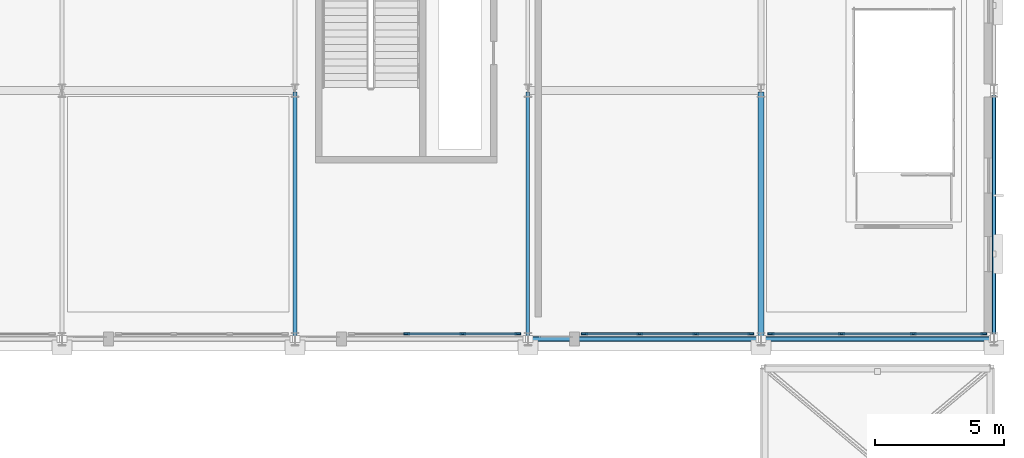
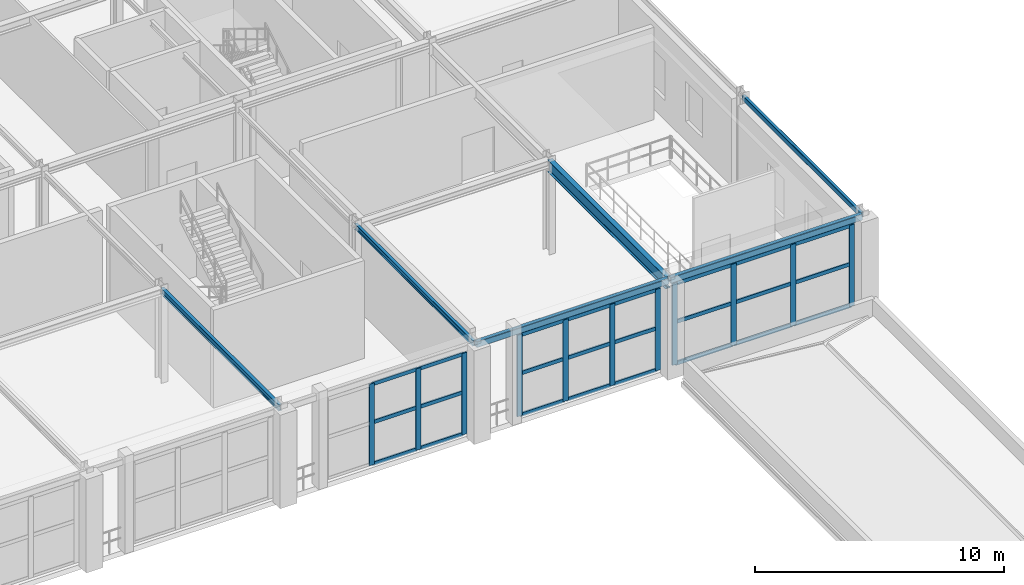
# One storey, part 57 of 125: 35 members, 6 beams, 3 elements without a shape of their own.
"""IFC4 building model written with IfcOpenShell, lengths in metres."""

from ifc_helpers import new_model, si_unit, direction, frame, origin, origin_2d, place, context, subcontext, project, spatial, rectangle, hollow_rectangle, i_section, extrude, material, layer, layer_set, material_profile, profile_set, type_object, element, aggregate, save


model = new_model("IFC4")

# Units and contexts
model_context = context("Model", 3, precision=1e-05, world=origin(), true_north=direction((0.0, 1.0)))
body_context = subcontext(model_context, "Body", "Model", "MODEL_VIEW")
ifc_project = project(units=[si_unit("LENGTHUNIT", "METRE"), si_unit("AREAUNIT", "SQUARE_METRE"), si_unit("VOLUMEUNIT", "CUBIC_METRE"), si_unit("PLANEANGLEUNIT", "RADIAN"), si_unit("MASSUNIT", "GRAM", prefix="KILO")], contexts=[model_context])

# Site, building, storey
site_placement = place(None, origin())
site = spatial("IfcSite", under=ifc_project, at=site_placement, CompositionType="ELEMENT")
building_placement = place(site_placement, origin())
building = spatial("IfcBuilding", under=site, at=building_placement, Name="Myrtia Square Station", CompositionType="ELEMENT")
storey_placement = place(building_placement, frame((0.0, 0.0, 6.0)))
storey = spatial("IfcBuildingStorey", under=building, at=storey_placement, Name="L01", CompositionType="ELEMENT", Elevation=6.0)

# Beams
ifc_material_1 = material(Name="Steel S355", Category="steel")
ifc_material_profile_1 = material_profile(ifc_material_1, i_section(OverallWidth=0.135009765625, OverallDepth=0.27001953125, WebThickness=0.006591796875, FlangeThickness=0.01025390625, FilletRadius=0.014892578125, at=origin_2d()), Name="IPE 270")
ifc_profile_set_1 = profile_set([ifc_material_profile_1], Name="Steel S355")
beam_type_1 = type_object("IfcBeamType", Name="BM-IPE270", PredefinedType="BEAM", material=ifc_profile_set_1)
beam_1_placement = place(storey_placement, frame((171.0, 86.449951171875, 4.4150390625), z_axis=(0.0, 1.0, 0.0), x_axis=(-1.0, 0.0, 0.0)))
element("IfcBeam", 1, at=beam_1_placement, inside=storey, type_object=beam_type_1, Name="Structural girder BMY-L01-0683", PredefinedType="BEAM", context=body_context, shape_type="SweptSolid", body=[
    extrude(i_section(OverallWidth=0.135009765625, OverallDepth=0.27001953125, WebThickness=0.006591796875, FlangeThickness=0.01025390625, FilletRadius=0.014892578125, at=origin_2d()), origin(), (0.0, 0.0, 1.0), 9.5),
])
ifc_material_profile_2 = material_profile(ifc_material_1, i_section(OverallWidth=0.14990234375, OverallDepth=0.300048828125, WebThickness=0.007080078125, FlangeThickness=0.0107421875, FilletRadius=0.014892578125, at=origin_2d()), Name="IPE 300")
ifc_profile_set_2 = profile_set([ifc_material_profile_2], Name="Steel S355")
beam_type_2 = type_object("IfcBeamType", Name="BM-IPE300", PredefinedType="BEAM", material=ifc_profile_set_2)
beam_2_placement = place(storey_placement, frame((162.0, 86.449951171875, 4.39990234375), z_axis=(0.0, 1.0, 0.0), x_axis=(-1.0, 0.0, 0.0)))
element("IfcBeam", 2, at=beam_2_placement, inside=storey, type_object=beam_type_2, Name="Structural girder BMY-L01-0679", PredefinedType="BEAM", context=body_context, shape_type="SweptSolid", body=[
    extrude(i_section(OverallWidth=0.14990234375, OverallDepth=0.300048828125, WebThickness=0.007080078125, FlangeThickness=0.0107421875, FilletRadius=0.014892578125, at=origin_2d()), origin(), (0.0, 0.0, 1.0), 9.5),
])
ifc_material_profile_3 = material_profile(ifc_material_1, i_section(OverallWidth=0.219970703125, OverallDepth=0.60009765625, WebThickness=0.011962890625, FlangeThickness=0.01904296875, FilletRadius=0.02392578125, at=origin_2d()), Name="IPE 600")
ifc_profile_set_3 = profile_set([ifc_material_profile_3], Name="Steel S355")
beam_type_3 = type_object("IfcBeamType", Name="BM-IPE600", PredefinedType="BEAM", material=ifc_profile_set_3)
beam_3_placement = place(storey_placement, frame((180.0, 86.449951171875, 4.25), z_axis=(0.0, 1.0, 0.0), x_axis=(-1.0, 0.0, 0.0)))
element("IfcBeam", 3, at=beam_3_placement, inside=storey, type_object=beam_type_3, Name="Structural girder BMY-L01-0687", PredefinedType="BEAM", context=body_context, shape_type="SweptSolid", body=[
    extrude(i_section(OverallWidth=0.219970703125, OverallDepth=0.60009765625, WebThickness=0.011962890625, FlangeThickness=0.01904296875, FilletRadius=0.02392578125, at=origin_2d()), origin(), (0.0, 0.0, 1.0), 9.5),
])

# Curtain wall, members
ifc_material_2 = material(Name="Dark bronze anodised aluminium", Category="aluminium")
ifc_layer_1 = layer(ifc_material_2, 0.159912109375, Name="Dark bronze anodised aluminium")
ifc_layer_set_1 = layer_set([ifc_layer_1], Name="Dark bronze anodised aluminium")
curtain_wall_type_1 = type_object("IfcCurtainWallType", Name="CW-TYPE-39-650x400", PredefinedType="USERDEFINED", material=ifc_layer_set_1)
curtain_wall_1_placement = place(storey_placement, origin())
curtain_wall_1 = element("IfcCurtainWall", 4, at=curtain_wall_1_placement, inside=storey, type_object=curtain_wall_type_1, Name="Concourse curtain wall CW-L01-136", ObjectType="CONCOURSE CURTAIN WALL", PredefinedType="USERDEFINED")
ifc_material_profile_4 = material_profile(ifc_material_2, rectangle(XDim=0.074951171875, YDim=0.239990234375, at=origin_2d()), Name="ALU-M 75x240")
ifc_profile_set_4 = profile_set([ifc_material_profile_4], Name="Dark bronze anodised aluminium")
member_type_1 = type_object("IfcMemberType", Name="CWM-75x240", PredefinedType="MULLION", material=ifc_profile_set_4)
member_1_placement = place(storey_placement, frame((166.316650390625, 86.60009765625, 0.0), z_axis=(0.0, 0.0, 1.0), x_axis=(0.0, 1.0, 0.0)))
member_1 = element("IfcMember", 5, at=member_1_placement, type_object=member_type_1, Name="CW-136 mullion 2", PredefinedType="MULLION", context=body_context, shape_type="SweptSolid", body=[
    extrude(rectangle(XDim=0.074951171875, YDim=0.239990234375, at=origin_2d()), origin(), (0.0, 0.0, 1.0), 4.0),
])
member_2_placement = place(storey_placement, frame((168.4833984375, 86.60009765625, 0.0), z_axis=(0.0, 0.0, 1.0), x_axis=(0.0, 1.0, 0.0)))
member_2 = element("IfcMember", 6, at=member_2_placement, type_object=member_type_1, Name="CW-136 mullion 3", PredefinedType="MULLION", context=body_context, shape_type="SweptSolid", body=[
    extrude(rectangle(XDim=0.074951171875, YDim=0.239990234375, at=origin_2d()), origin(), (0.0, 0.0, 1.0), 4.0),
])
member_3_placement = place(storey_placement, frame((170.612548828125, 86.60009765625, 0.0), z_axis=(0.0, 0.0, 1.0), x_axis=(0.0, 1.0, 0.0)))
member_3 = element("IfcMember", 7, at=member_3_placement, type_object=member_type_1, Name="CW-136 mullion 4", PredefinedType="MULLION", context=body_context, shape_type="SweptSolid", body=[
    extrude(rectangle(XDim=0.074951171875, YDim=0.239990234375, at=origin_2d()), origin(), (0.0, 0.0, 1.0), 4.0),
])

curtain_wall_2_placement = place(storey_placement, origin())
curtain_wall_2 = element("IfcCurtainWall", 8, at=curtain_wall_2_placement, inside=storey, type_object=curtain_wall_type_1, Name="Concourse curtain wall CW-L01-141", ObjectType="CONCOURSE CURTAIN WALL", PredefinedType="USERDEFINED")
member_4_placement = place(storey_placement, frame((173.1875, 86.60009765625, 0.0), z_axis=(0.0, 0.0, 1.0), x_axis=(0.0, 1.0, 0.0)))
member_4 = element("IfcMember", 9, at=member_4_placement, type_object=member_type_1, Name="CW-141 mullion 1", PredefinedType="MULLION", context=body_context, shape_type="SweptSolid", body=[
    extrude(rectangle(XDim=0.074951171875, YDim=0.239990234375, at=origin_2d()), origin(), (0.0, 0.0, 1.0), 4.0),
])
member_5_placement = place(storey_placement, frame((175.316650390625, 86.60009765625, 0.0), z_axis=(0.0, 0.0, 1.0), x_axis=(0.0, 1.0, 0.0)))
member_5 = element("IfcMember", 10, at=member_5_placement, type_object=member_type_1, Name="CW-141 mullion 2", PredefinedType="MULLION", context=body_context, shape_type="SweptSolid", body=[
    extrude(rectangle(XDim=0.074951171875, YDim=0.239990234375, at=origin_2d()), origin(), (0.0, 0.0, 1.0), 4.0),
])
member_6_placement = place(storey_placement, frame((177.4833984375, 86.60009765625, 0.0), z_axis=(0.0, 0.0, 1.0), x_axis=(0.0, 1.0, 0.0)))
member_6 = element("IfcMember", 11, at=member_6_placement, type_object=member_type_1, Name="CW-141 mullion 3", PredefinedType="MULLION", context=body_context, shape_type="SweptSolid", body=[
    extrude(rectangle(XDim=0.074951171875, YDim=0.239990234375, at=origin_2d()), origin(), (0.0, 0.0, 1.0), 4.0),
])
member_7_placement = place(storey_placement, frame((179.612548828125, 86.60009765625, 0.0), z_axis=(0.0, 0.0, 1.0), x_axis=(0.0, 1.0, 0.0)))
member_7 = element("IfcMember", 12, at=member_7_placement, type_object=member_type_1, Name="CW-141 mullion 4", PredefinedType="MULLION", context=body_context, shape_type="SweptSolid", body=[
    extrude(rectangle(XDim=0.074951171875, YDim=0.239990234375, at=origin_2d()), origin(), (0.0, 0.0, 1.0), 4.0),
])

ifc_layer_2 = layer(ifc_material_2, 0.159912109375, Name="Dark bronze anodised aluminium")
ifc_layer_set_2 = layer_set([ifc_layer_2], Name="Dark bronze anodised aluminium")
curtain_wall_type_2 = type_object("IfcCurtainWallType", Name="CW-TYPE-44-830x400", PredefinedType="USERDEFINED", material=ifc_layer_set_2)
curtain_wall_3_placement = place(storey_placement, origin())
curtain_wall_3 = element("IfcCurtainWall", 13, at=curtain_wall_3_placement, inside=storey, type_object=curtain_wall_type_2, Name="Concourse curtain wall CW-L01-146", ObjectType="CONCOURSE CURTAIN WALL", PredefinedType="USERDEFINED")
member_8_placement = place(storey_placement, frame((180.387451171875, 86.60009765625, 0.0), z_axis=(0.0, 0.0, 1.0), x_axis=(0.0, 1.0, 0.0)))
member_8 = element("IfcMember", 14, at=member_8_placement, type_object=member_type_1, Name="CW-146 mullion 1", PredefinedType="MULLION", context=body_context, shape_type="SweptSolid", body=[
    extrude(rectangle(XDim=0.074951171875, YDim=0.239990234375, at=origin_2d()), origin(), (0.0, 0.0, 1.0), 4.0),
])
member_9_placement = place(storey_placement, frame((183.11669921875, 86.60009765625, 0.0), z_axis=(0.0, 0.0, 1.0), x_axis=(0.0, 1.0, 0.0)))
member_9 = element("IfcMember", 15, at=member_9_placement, type_object=member_type_1, Name="CW-146 mullion 2", PredefinedType="MULLION", context=body_context, shape_type="SweptSolid", body=[
    extrude(rectangle(XDim=0.074951171875, YDim=0.239990234375, at=origin_2d()), origin(), (0.0, 0.0, 1.0), 4.0),
])
member_10_placement = place(storey_placement, frame((185.88330078125, 86.60009765625, 0.0), z_axis=(0.0, 0.0, 1.0), x_axis=(0.0, 1.0, 0.0)))
member_10 = element("IfcMember", 16, at=member_10_placement, type_object=member_type_1, Name="CW-146 mullion 3", PredefinedType="MULLION", context=body_context, shape_type="SweptSolid", body=[
    extrude(rectangle(XDim=0.074951171875, YDim=0.239990234375, at=origin_2d()), origin(), (0.0, 0.0, 1.0), 4.0),
])
member_11_placement = place(storey_placement, frame((188.612548828125, 86.60009765625, 0.0), z_axis=(0.0, 0.0, 1.0), x_axis=(0.0, 1.0, 0.0)))
member_11 = element("IfcMember", 17, at=member_11_placement, type_object=member_type_1, Name="CW-146 mullion 4", PredefinedType="MULLION", context=body_context, shape_type="SweptSolid", body=[
    extrude(rectangle(XDim=0.074951171875, YDim=0.239990234375, at=origin_2d()), origin(), (0.0, 0.0, 1.0), 4.0),
])

# Member
ifc_material_profile_5 = material_profile(ifc_material_2, rectangle(XDim=0.074951171875, YDim=0.179931640625, at=origin_2d()), Name="ALU-T 75x180")
ifc_profile_set_5 = profile_set([ifc_material_profile_5], Name="Dark bronze anodised aluminium")
member_type_2 = type_object("IfcMemberType", Name="CWT-75x180", PredefinedType="USERDEFINED", material=ifc_profile_set_5)
member_12_placement = place(storey_placement, frame((166.354248046875, 86.60009765625, 0.03759765625), z_axis=(1.0, 0.0, 0.0), x_axis=(0.0, 1.0, 0.0)))
member_12 = element("IfcMember", 18, at=member_12_placement, type_object=member_type_2, Name="CW-136 transom 2.1", ObjectType="TRANSOM", PredefinedType="USERDEFINED", context=body_context, shape_type="SweptSolid", body=[
    extrude(rectangle(XDim=0.074951171875, YDim=0.179931640625, at=origin_2d()), origin(), (0.0, 0.0, 1.0), 2.091552734375),
])

member_13_placement = place(storey_placement, frame((166.354248046875, 86.60009765625, 2.080078125), z_axis=(1.0, 0.0, 0.0), x_axis=(0.0, 1.0, 0.0)))
member_13 = element("IfcMember", 19, at=member_13_placement, type_object=member_type_2, Name="CW-136 transom 2.2", ObjectType="TRANSOM", PredefinedType="USERDEFINED", context=body_context, shape_type="SweptSolid", body=[
    extrude(rectangle(XDim=0.074951171875, YDim=0.179931640625, at=origin_2d()), origin(), (0.0, 0.0, 1.0), 2.091552734375),
])

member_14_placement = place(storey_placement, frame((166.354248046875, 86.60009765625, 3.96240234375), z_axis=(1.0, 0.0, 0.0), x_axis=(0.0, 1.0, 0.0)))
member_14 = element("IfcMember", 20, at=member_14_placement, type_object=member_type_2, Name="CW-136 transom 2.3", ObjectType="TRANSOM", PredefinedType="USERDEFINED", context=body_context, shape_type="SweptSolid", body=[
    extrude(rectangle(XDim=0.074951171875, YDim=0.179931640625, at=origin_2d()), origin(), (0.0, 0.0, 1.0), 2.091552734375),
])

member_15_placement = place(storey_placement, frame((168.520751953125, 86.60009765625, 0.03759765625), z_axis=(1.0, 0.0, 0.0), x_axis=(0.0, 1.0, 0.0)))
member_15 = element("IfcMember", 21, at=member_15_placement, type_object=member_type_2, Name="CW-136 transom 3.1", ObjectType="TRANSOM", PredefinedType="USERDEFINED", context=body_context, shape_type="SweptSolid", body=[
    extrude(rectangle(XDim=0.074951171875, YDim=0.179931640625, at=origin_2d()), origin(), (0.0, 0.0, 1.0), 2.05419921875),
])

member_16_placement = place(storey_placement, frame((168.520751953125, 86.60009765625, 2.080078125), z_axis=(1.0, 0.0, 0.0), x_axis=(0.0, 1.0, 0.0)))
member_16 = element("IfcMember", 22, at=member_16_placement, type_object=member_type_2, Name="CW-136 transom 3.2", ObjectType="TRANSOM", PredefinedType="USERDEFINED", context=body_context, shape_type="SweptSolid", body=[
    extrude(rectangle(XDim=0.074951171875, YDim=0.179931640625, at=origin_2d()), origin(), (0.0, 0.0, 1.0), 2.05419921875),
])

member_17_placement = place(storey_placement, frame((168.520751953125, 86.60009765625, 3.96240234375), z_axis=(1.0, 0.0, 0.0), x_axis=(0.0, 1.0, 0.0)))
member_17 = element("IfcMember", 23, at=member_17_placement, type_object=member_type_2, Name="CW-136 transom 3.3", ObjectType="TRANSOM", PredefinedType="USERDEFINED", context=body_context, shape_type="SweptSolid", body=[
    extrude(rectangle(XDim=0.074951171875, YDim=0.179931640625, at=origin_2d()), origin(), (0.0, 0.0, 1.0), 2.05419921875),
])

aggregate(curtain_wall_1, [member_1, member_2, member_3, member_12, member_13, member_14, member_15, member_16, member_17])

member_18_placement = place(storey_placement, frame((173.22509765625, 86.60009765625, 0.03759765625), z_axis=(1.0, 0.0, 0.0), x_axis=(0.0, 1.0, 0.0)))
member_18 = element("IfcMember", 24, at=member_18_placement, type_object=member_type_2, Name="CW-141 transom 1.1", ObjectType="TRANSOM", PredefinedType="USERDEFINED", context=body_context, shape_type="SweptSolid", body=[
    extrude(rectangle(XDim=0.074951171875, YDim=0.179931640625, at=origin_2d()), origin(), (0.0, 0.0, 1.0), 2.053955078125),
])

member_19_placement = place(storey_placement, frame((173.22509765625, 86.60009765625, 2.080078125), z_axis=(1.0, 0.0, 0.0), x_axis=(0.0, 1.0, 0.0)))
member_19 = element("IfcMember", 25, at=member_19_placement, type_object=member_type_2, Name="CW-141 transom 1.2", ObjectType="TRANSOM", PredefinedType="USERDEFINED", context=body_context, shape_type="SweptSolid", body=[
    extrude(rectangle(XDim=0.074951171875, YDim=0.179931640625, at=origin_2d()), origin(), (0.0, 0.0, 1.0), 2.053955078125),
])

member_20_placement = place(storey_placement, frame((173.22509765625, 86.60009765625, 3.96240234375), z_axis=(1.0, 0.0, 0.0), x_axis=(0.0, 1.0, 0.0)))
member_20 = element("IfcMember", 26, at=member_20_placement, type_object=member_type_2, Name="CW-141 transom 1.3", ObjectType="TRANSOM", PredefinedType="USERDEFINED", context=body_context, shape_type="SweptSolid", body=[
    extrude(rectangle(XDim=0.074951171875, YDim=0.179931640625, at=origin_2d()), origin(), (0.0, 0.0, 1.0), 2.053955078125),
])

member_21_placement = place(storey_placement, frame((175.354248046875, 86.60009765625, 0.03759765625), z_axis=(1.0, 0.0, 0.0), x_axis=(0.0, 1.0, 0.0)))
member_21 = element("IfcMember", 27, at=member_21_placement, type_object=member_type_2, Name="CW-141 transom 2.1", ObjectType="TRANSOM", PredefinedType="USERDEFINED", context=body_context, shape_type="SweptSolid", body=[
    extrude(rectangle(XDim=0.074951171875, YDim=0.179931640625, at=origin_2d()), origin(), (0.0, 0.0, 1.0), 2.091552734375),
])

member_22_placement = place(storey_placement, frame((175.354248046875, 86.60009765625, 2.080078125), z_axis=(1.0, 0.0, 0.0), x_axis=(0.0, 1.0, 0.0)))
member_22 = element("IfcMember", 28, at=member_22_placement, type_object=member_type_2, Name="CW-141 transom 2.2", ObjectType="TRANSOM", PredefinedType="USERDEFINED", context=body_context, shape_type="SweptSolid", body=[
    extrude(rectangle(XDim=0.074951171875, YDim=0.179931640625, at=origin_2d()), origin(), (0.0, 0.0, 1.0), 2.091552734375),
])

member_23_placement = place(storey_placement, frame((175.354248046875, 86.60009765625, 3.96240234375), z_axis=(1.0, 0.0, 0.0), x_axis=(0.0, 1.0, 0.0)))
member_23 = element("IfcMember", 29, at=member_23_placement, type_object=member_type_2, Name="CW-141 transom 2.3", ObjectType="TRANSOM", PredefinedType="USERDEFINED", context=body_context, shape_type="SweptSolid", body=[
    extrude(rectangle(XDim=0.074951171875, YDim=0.179931640625, at=origin_2d()), origin(), (0.0, 0.0, 1.0), 2.091552734375),
])

member_24_placement = place(storey_placement, frame((177.520751953125, 86.60009765625, 0.03759765625), z_axis=(1.0, 0.0, 0.0), x_axis=(0.0, 1.0, 0.0)))
member_24 = element("IfcMember", 30, at=member_24_placement, type_object=member_type_2, Name="CW-141 transom 3.1", ObjectType="TRANSOM", PredefinedType="USERDEFINED", context=body_context, shape_type="SweptSolid", body=[
    extrude(rectangle(XDim=0.074951171875, YDim=0.179931640625, at=origin_2d()), origin(), (0.0, 0.0, 1.0), 2.05419921875),
])

member_25_placement = place(storey_placement, frame((177.520751953125, 86.60009765625, 2.080078125), z_axis=(1.0, 0.0, 0.0), x_axis=(0.0, 1.0, 0.0)))
member_25 = element("IfcMember", 31, at=member_25_placement, type_object=member_type_2, Name="CW-141 transom 3.2", ObjectType="TRANSOM", PredefinedType="USERDEFINED", context=body_context, shape_type="SweptSolid", body=[
    extrude(rectangle(XDim=0.074951171875, YDim=0.179931640625, at=origin_2d()), origin(), (0.0, 0.0, 1.0), 2.05419921875),
])

member_26_placement = place(storey_placement, frame((177.520751953125, 86.60009765625, 3.96240234375), z_axis=(1.0, 0.0, 0.0), x_axis=(0.0, 1.0, 0.0)))
member_26 = element("IfcMember", 32, at=member_26_placement, type_object=member_type_2, Name="CW-141 transom 3.3", ObjectType="TRANSOM", PredefinedType="USERDEFINED", context=body_context, shape_type="SweptSolid", body=[
    extrude(rectangle(XDim=0.074951171875, YDim=0.179931640625, at=origin_2d()), origin(), (0.0, 0.0, 1.0), 2.05419921875),
])

aggregate(curtain_wall_2, [member_4, member_5, member_6, member_7, member_18, member_19, member_20, member_21, member_22, member_23, member_24, member_25, member_26])

member_27_placement = place(storey_placement, frame((180.425048828125, 86.60009765625, 0.03759765625), z_axis=(1.0, 0.0, 0.0), x_axis=(0.0, 1.0, 0.0)))
member_27 = element("IfcMember", 33, at=member_27_placement, type_object=member_type_2, Name="CW-146 transom 1.1", ObjectType="TRANSOM", PredefinedType="USERDEFINED", context=body_context, shape_type="SweptSolid", body=[
    extrude(rectangle(XDim=0.074951171875, YDim=0.179931640625, at=origin_2d()), origin(), (0.0, 0.0, 1.0), 2.654052734375),
])

member_28_placement = place(storey_placement, frame((180.425048828125, 86.60009765625, 2.080078125), z_axis=(1.0, 0.0, 0.0), x_axis=(0.0, 1.0, 0.0)))
member_28 = element("IfcMember", 34, at=member_28_placement, type_object=member_type_2, Name="CW-146 transom 1.2", ObjectType="TRANSOM", PredefinedType="USERDEFINED", context=body_context, shape_type="SweptSolid", body=[
    extrude(rectangle(XDim=0.074951171875, YDim=0.179931640625, at=origin_2d()), origin(), (0.0, 0.0, 1.0), 2.654052734375),
])

member_29_placement = place(storey_placement, frame((180.425048828125, 86.60009765625, 3.96240234375), z_axis=(1.0, 0.0, 0.0), x_axis=(0.0, 1.0, 0.0)))
member_29 = element("IfcMember", 35, at=member_29_placement, type_object=member_type_2, Name="CW-146 transom 1.3", ObjectType="TRANSOM", PredefinedType="USERDEFINED", context=body_context, shape_type="SweptSolid", body=[
    extrude(rectangle(XDim=0.074951171875, YDim=0.179931640625, at=origin_2d()), origin(), (0.0, 0.0, 1.0), 2.654052734375),
])

member_30_placement = place(storey_placement, frame((183.154052734375, 86.60009765625, 0.03759765625), z_axis=(1.0, 0.0, 0.0), x_axis=(0.0, 1.0, 0.0)))
member_30 = element("IfcMember", 36, at=member_30_placement, type_object=member_type_2, Name="CW-146 transom 2.1", ObjectType="TRANSOM", PredefinedType="USERDEFINED", context=body_context, shape_type="SweptSolid", body=[
    extrude(rectangle(XDim=0.074951171875, YDim=0.179931640625, at=origin_2d()), origin(), (0.0, 0.0, 1.0), 2.69189453125),
])

member_31_placement = place(storey_placement, frame((183.154052734375, 86.60009765625, 2.080078125), z_axis=(1.0, 0.0, 0.0), x_axis=(0.0, 1.0, 0.0)))
member_31 = element("IfcMember", 37, at=member_31_placement, type_object=member_type_2, Name="CW-146 transom 2.2", ObjectType="TRANSOM", PredefinedType="USERDEFINED", context=body_context, shape_type="SweptSolid", body=[
    extrude(rectangle(XDim=0.074951171875, YDim=0.179931640625, at=origin_2d()), origin(), (0.0, 0.0, 1.0), 2.69189453125),
])

member_32_placement = place(storey_placement, frame((183.154052734375, 86.60009765625, 3.96240234375), z_axis=(1.0, 0.0, 0.0), x_axis=(0.0, 1.0, 0.0)))
member_32 = element("IfcMember", 38, at=member_32_placement, type_object=member_type_2, Name="CW-146 transom 2.3", ObjectType="TRANSOM", PredefinedType="USERDEFINED", context=body_context, shape_type="SweptSolid", body=[
    extrude(rectangle(XDim=0.074951171875, YDim=0.179931640625, at=origin_2d()), origin(), (0.0, 0.0, 1.0), 2.69189453125),
])

member_33_placement = place(storey_placement, frame((185.9208984375, 86.60009765625, 0.03759765625), z_axis=(1.0, 0.0, 0.0), x_axis=(0.0, 1.0, 0.0)))
member_33 = element("IfcMember", 39, at=member_33_placement, type_object=member_type_2, Name="CW-146 transom 3.1", ObjectType="TRANSOM", PredefinedType="USERDEFINED", context=body_context, shape_type="SweptSolid", body=[
    extrude(rectangle(XDim=0.074951171875, YDim=0.179931640625, at=origin_2d()), origin(), (0.0, 0.0, 1.0), 2.654052734375),
])

member_34_placement = place(storey_placement, frame((185.9208984375, 86.60009765625, 2.080078125), z_axis=(1.0, 0.0, 0.0), x_axis=(0.0, 1.0, 0.0)))
member_34 = element("IfcMember", 40, at=member_34_placement, type_object=member_type_2, Name="CW-146 transom 3.2", ObjectType="TRANSOM", PredefinedType="USERDEFINED", context=body_context, shape_type="SweptSolid", body=[
    extrude(rectangle(XDim=0.074951171875, YDim=0.179931640625, at=origin_2d()), origin(), (0.0, 0.0, 1.0), 2.654052734375),
])

member_35_placement = place(storey_placement, frame((185.9208984375, 86.60009765625, 3.96240234375), z_axis=(1.0, 0.0, 0.0), x_axis=(0.0, 1.0, 0.0)))
member_35 = element("IfcMember", 41, at=member_35_placement, type_object=member_type_2, Name="CW-146 transom 3.3", ObjectType="TRANSOM", PredefinedType="USERDEFINED", context=body_context, shape_type="SweptSolid", body=[
    extrude(rectangle(XDim=0.074951171875, YDim=0.179931640625, at=origin_2d()), origin(), (0.0, 0.0, 1.0), 2.654052734375),
])

aggregate(curtain_wall_3, [member_8, member_9, member_10, member_11, member_27, member_28, member_29, member_30, member_31, member_32, member_33, member_34, member_35])

# Beams
ifc_material_profile_6 = material_profile(ifc_material_1, hollow_rectangle(XDim=0.14990234375, YDim=0.25, WallThickness=0.012451171875, InnerFilletRadius=0.012451171875, OuterFilletRadius=0.02490234375, at=origin_2d()), Name="RHS 250x150x12.5")
ifc_profile_set_6 = profile_set([ifc_material_profile_6], Name="Steel S355")
beam_type_4 = type_object("IfcBeamType", Name="SPN-RHS250", PredefinedType="SPANDREL", material=ifc_profile_set_6)
beam_4_placement = place(storey_placement, frame((189.0, 86.449951171875, 4.425048828125), z_axis=(0.0, 1.0, 0.0), x_axis=(-1.0, 0.0, 0.0)))
element("IfcBeam", 42, at=beam_4_placement, inside=storey, type_object=beam_type_4, Name="Structural girder SPNY-L01-0192", PredefinedType="SPANDREL", context=body_context, shape_type="SweptSolid", body=[
    extrude(hollow_rectangle(XDim=0.14990234375, YDim=0.25, WallThickness=0.012451171875, InnerFilletRadius=0.012451171875, OuterFilletRadius=0.02490234375, at=origin_2d()), origin(), (0.0, 0.0, 1.0), 9.5),
])
ifc_material_profile_7 = material_profile(ifc_material_1, hollow_rectangle(XDim=0.199951171875, YDim=0.300048828125, WallThickness=0.01611328125, InnerFilletRadius=0.01611328125, OuterFilletRadius=0.031982421875, at=origin_2d()), Name="RHS 300x200x16")
ifc_profile_set_7 = profile_set([ifc_material_profile_7], Name="Steel S355")
beam_type_5 = type_object("IfcBeamType", Name="SPN-RHS300", PredefinedType="SPANDREL", material=ifc_profile_set_7)
for number, where, z_axis, x_axis, name in (
    (43, (171.050048828125, 86.39990234375, 4.39990234375), (1.0, 0.0, 0.0), (0.0, 1.0, 0.0), "Structural girder SPN-L01-0178"),
    (44, (180.050048828125, 86.39990234375, 4.39990234375), (1.0, 0.0, 0.0), (0.0, 1.0, 0.0), "Structural girder SPN-L01-0179"),
):
    element("IfcBeam", number, at=place(storey_placement, frame(where, z_axis=z_axis, x_axis=x_axis)), inside=storey, type_object=beam_type_5, Name=name, PredefinedType="SPANDREL", context=body_context, shape_type="SweptSolid", body=[
        extrude(hollow_rectangle(XDim=0.199951171875, YDim=0.300048828125, WallThickness=0.01611328125, InnerFilletRadius=0.01611328125, OuterFilletRadius=0.031982421875, at=origin_2d()), origin(), (0.0, 0.0, 1.0), 8.89990234375),
    ])

save(model, "model.ifc")
